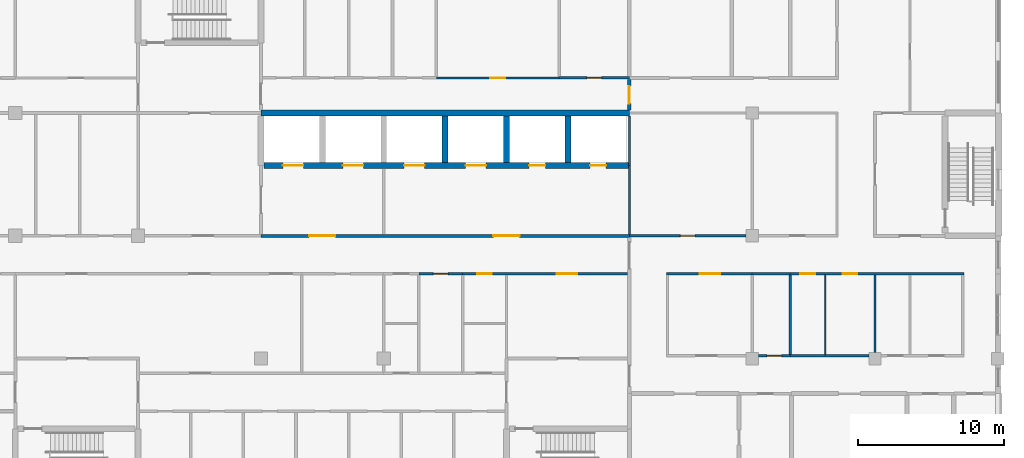
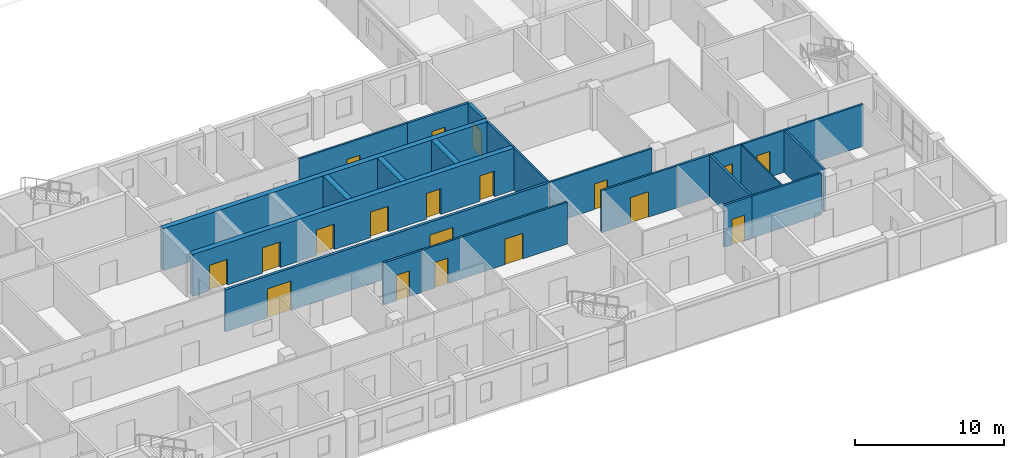
# One storey, part 71 of 94: 22 walls, 19 doors, 19 openings.
"""IFC4 building model written with IfcOpenShell, lengths in metres."""

from ifc_helpers import new_model, si_unit, direction, frame, frame_2d, origin, place, context, subcontext, project, spatial, rectangle, extrude, material, layer, layer_set, type_object, element, fill, save


model = new_model("IFC4")

# Units and contexts
model_context = context("Model", 3, precision=1e-05, world=origin(), true_north=direction((0.0, 1.0)))
body_context = subcontext(model_context, "Body", "Model", "MODEL_VIEW")
ifc_project = project(units=[si_unit("LENGTHUNIT", "METRE"), si_unit("AREAUNIT", "SQUARE_METRE"), si_unit("VOLUMEUNIT", "CUBIC_METRE"), si_unit("PLANEANGLEUNIT", "RADIAN"), si_unit("MASSUNIT", "GRAM", prefix="KILO")], contexts=[model_context])

# Site, building, storey
site_placement = place(None, origin())
site = spatial("IfcSite", under=ifc_project, at=site_placement, CompositionType="ELEMENT")
building_placement = place(site_placement, origin())
building = spatial("IfcBuilding", under=site, at=building_placement, Name="Yavir Park General Hospital", CompositionType="ELEMENT")
storey_placement = place(building_placement, frame((0.0, 0.0, 4.5)))
storey = spatial("IfcBuildingStorey", under=building, at=storey_placement, Name="L01", CompositionType="ELEMENT", Elevation=4.5)

# Wall, opening, door
ifc_material_1 = material(Name="Double-leaf gypsum board acoustic partition on staggered studs")
ifc_layer_1 = layer(ifc_material_1, 0.175048828125)
ifc_layer_set_1 = layer_set([ifc_layer_1], Name="Double-leaf gypsum board acoustic partition on staggered studs")
wall_type_1 = type_object("IfcWallType", Name="Acoustic partition 175", PredefinedType="PARTITIONING", material=ifc_layer_set_1)
wall_1_placement = place(storey_placement, frame((151.625, 8.60009765625, 0.0), z_axis=(0.0, 0.0, 1.0), x_axis=(1.0, 0.0, 0.0)))
wall_1 = element("IfcWall", 1, at=wall_1_placement, inside=storey, type_object=wall_type_1, Name="AP175 L01-038", PredefinedType="PARTITIONING", context=body_context, shape_type="SweptSolid", body=[
    extrude(rectangle(XDim=2.175048828125, YDim=0.175048828125, at=frame_2d((1.08740234375, 0.0))), origin(), (0.0, 0.0, 1.0), 3.449951171875),
])
opening_1_placement = place(wall_1_placement, frame((0.58740234375, 0.0, 0.0)))
opening_1 = element("IfcOpeningElement", 2, at=opening_1_placement, cuts=wall_1, Name="Opening L01.D055", PredefinedType="OPENING", context=body_context, shape_type="SweptSolid", body=[
    extrude(rectangle(XDim=1.0, YDim=2.10009765625, at=frame_2d((0.5, 1.050048828125))), frame((0.0, 0.097412109375, 0.0), z_axis=(0.0, -1.0, 0.0), x_axis=(1.0, 0.0, 0.0)), (0.0, 0.0, 1.0), 0.195068359375),
])
ifc_material_2 = material(Name="Sealed solid-core acoustic door leaf, Rw 42 dB")
door_type_1 = type_object("IfcDoorType", Name="Acoustic door 1000 x 2100", OperationType="SINGLE_SWING_LEFT", PredefinedType="DOOR", material=ifc_material_2)
door_1_placement = place(opening_1_placement, origin())
door_1 = element("IfcDoor", 3, at=door_1_placement, inside=storey, type_object=door_type_1, Name="L01.D055", OperationType="SINGLE_SWING_LEFT", OverallHeight=2.10009765625, OverallWidth=1.0, PredefinedType="DOOR", context=body_context, shape_type="SweptSolid", body=[
    extrude(rectangle(XDim=1.0, YDim=2.10009765625, at=frame_2d((0.5, 1.050048828125))), frame((0.0, 0.03515625, 0.0), z_axis=(0.0, -1.0, 0.0), x_axis=(1.0, 0.0, 0.0)), (0.0, 0.0, 1.0), 0.070068359375),
])
fill(opening_1, door_1)

wall_2_placement = place(storey_placement, frame((128.39990234375, 14.199951171875, 0.0), z_axis=(0.0, 0.0, 1.0), x_axis=(1.0, 0.0, 0.0)))
wall_2 = element("IfcWall", 4, at=wall_2_placement, inside=storey, type_object=wall_type_1, Name="AP175 L01-059", PredefinedType="PARTITIONING", context=body_context, shape_type="SweptSolid", body=[
    extrude(rectangle(XDim=3.0, YDim=0.175048828125, at=frame_2d((1.5, 0.0))), origin(), (0.0, 0.0, 1.0), 3.449951171875),
])
opening_2_placement = place(wall_2_placement, frame((1.0, 0.0, 0.0)))
opening_2 = element("IfcOpeningElement", 5, at=opening_2_placement, cuts=wall_2, Name="Opening L01.D076", PredefinedType="OPENING", context=body_context, shape_type="SweptSolid", body=[
    extrude(rectangle(XDim=1.0, YDim=2.10009765625, at=frame_2d((0.5, 1.050048828125))), frame((0.0, 0.097412109375, 0.0), z_axis=(0.0, -1.0, 0.0), x_axis=(1.0, 0.0, 0.0)), (0.0, 0.0, 1.0), 0.195068359375),
])
door_2_placement = place(opening_2_placement, origin())
door_2 = element("IfcDoor", 6, at=door_2_placement, inside=storey, type_object=door_type_1, Name="L01.D076", OperationType="SINGLE_SWING_LEFT", OverallHeight=2.10009765625, OverallWidth=1.0, PredefinedType="DOOR", context=body_context, shape_type="SweptSolid", body=[
    extrude(rectangle(XDim=1.0, YDim=2.10009765625, at=frame_2d((0.5, 1.050048828125))), frame((0.0, 0.03515625, 0.0), z_axis=(0.0, -1.0, 0.0), x_axis=(1.0, 0.0, 0.0)), (0.0, 0.0, 1.0), 0.070068359375),
])
fill(opening_2, door_2)

# Wall
wall_3_placement = place(storey_placement, frame((151.199951171875, 14.199951171875, 0.0), z_axis=(0.0, 0.0, 1.0), x_axis=(1.0, 0.0, 0.0)))
element("IfcWall", 7, at=wall_3_placement, inside=storey, type_object=wall_type_1, Name="AP175 L01-062", PredefinedType="PARTITIONING", context=body_context, shape_type="SweptSolid", body=[
    extrude(rectangle(XDim=2.60009765625, YDim=0.175048828125, at=frame_2d((1.300048828125, 0.0))), origin(), (0.0, 0.0, 1.0), 3.449951171875),
])

# Wall, opening, door
wall_4_placement = place(storey_placement, frame((138.0, 27.60009765625, 0.0), z_axis=(0.0, 0.0, 1.0), x_axis=(1.0, 0.0, 0.0)))
wall_4 = element("IfcWall", 8, at=wall_4_placement, inside=storey, type_object=wall_type_1, Name="AP175 L01-120", PredefinedType="PARTITIONING", context=body_context, shape_type="SweptSolid", body=[
    extrude(rectangle(XDim=4.800048828125, YDim=0.175048828125, at=frame_2d((2.39990234375, 0.0))), origin(), (0.0, 0.0, 1.0), 3.449951171875),
])
opening_3_placement = place(wall_4_placement, frame((1.89990234375, 0.0, 0.0)))
opening_3 = element("IfcOpeningElement", 9, at=opening_3_placement, cuts=wall_4, Name="Opening L01.D138", PredefinedType="OPENING", context=body_context, shape_type="SweptSolid", body=[
    extrude(rectangle(XDim=1.0, YDim=2.10009765625, at=frame_2d((0.5, 1.050048828125))), frame((0.0, 0.097412109375, 0.0), z_axis=(0.0, -1.0, 0.0), x_axis=(1.0, 0.0, 0.0)), (0.0, 0.0, 1.0), 0.195068359375),
])
door_3_placement = place(opening_3_placement, origin())
door_3 = element("IfcDoor", 10, at=door_3_placement, inside=storey, type_object=door_type_1, Name="L01.D138", OperationType="SINGLE_SWING_RIGHT", OverallHeight=2.10009765625, OverallWidth=1.0, PredefinedType="DOOR", context=body_context, shape_type="SweptSolid", body=[
    extrude(rectangle(XDim=1.0, YDim=2.10009765625, at=frame_2d((0.5, 1.050048828125))), frame((0.0, 0.03515625, 0.0), z_axis=(0.0, -1.0, 0.0), x_axis=(1.0, 0.0, 0.0)), (0.0, 0.0, 1.0), 0.070068359375),
])
fill(opening_3, door_3)

# Wall
wall_5_placement = place(storey_placement, frame((153.800048828125, 8.6875, 0.0), z_axis=(0.0, 0.0, 1.0), x_axis=(0.0, 1.0, 0.0)))
element("IfcWall", 11, at=wall_5_placement, inside=storey, type_object=wall_type_1, Name="AP175 L01-477", PredefinedType="PARTITIONING", context=body_context, shape_type="SweptSolid", body=[
    extrude(rectangle(XDim=5.425048828125, YDim=0.175048828125, at=frame_2d((2.71240234375, 0.0))), origin(), (0.0, 0.0, 1.0), 3.449951171875),
])

# Wall, opening, door
ifc_material_3 = material(Name="Concrete C30/37", Category="concrete")
ifc_layer_2 = layer(ifc_material_3, 0.25)
ifc_layer_set_2 = layer_set([ifc_layer_2], Name="Concrete C30/37")
wall_type_2 = type_object("IfcWallType", Name="Compartment fire wall 250, REI 150", PredefinedType="SOLIDWALL", material=ifc_layer_set_2)
wall_6_placement = place(storey_placement, frame((142.800048828125, 25.39990234375, 0.0), z_axis=(0.0, 0.0, 1.0), x_axis=(0.0, 1.0, 0.0)))
wall_6 = element("IfcWall", 12, at=wall_6_placement, inside=storey, type_object=wall_type_2, Name="FW25 L01-457", PredefinedType="SOLIDWALL", context=body_context, shape_type="SweptSolid", body=[
    extrude(rectangle(XDim=2.087646484375, YDim=0.25, at=frame_2d((1.0439453125, 0.0))), origin(), (0.0, 0.0, 1.0), 3.449951171875),
])
opening_4_placement = place(wall_6_placement, frame((0.44384765625, 0.0, 0.0)))
opening_4 = element("IfcOpeningElement", 13, at=opening_4_placement, cuts=wall_6, Name="Opening L01.D246", PredefinedType="OPENING", context=body_context, shape_type="SweptSolid", body=[
    extrude(rectangle(XDim=1.199951171875, YDim=2.10009765625, at=frame_2d((0.60009765625, 1.050048828125))), frame((0.0, 0.135009765625, 0.0), z_axis=(0.0, -1.0, 0.0), x_axis=(1.0, 0.0, 0.0)), (0.0, 0.0, 1.0), 0.27001953125),
])
ifc_material_4 = material(Name="Steel frame, fire-resisting leaf with vision panel", Category="steel")
door_type_2 = type_object("IfcDoorType", Name="Fire door with vision panel 1200 x 2100, EI 60", OperationType="SINGLE_SWING_LEFT", PredefinedType="DOOR", material=ifc_material_4)
door_4_placement = place(opening_4_placement, origin())
door_4 = element("IfcDoor", 14, at=door_4_placement, inside=storey, type_object=door_type_2, Name="L01.D246", OperationType="SINGLE_SWING_LEFT", OverallHeight=2.10009765625, OverallWidth=1.199951171875, PredefinedType="DOOR", context=body_context, shape_type="SweptSolid", body=[
    extrude(rectangle(XDim=1.199951171875, YDim=2.10009765625, at=frame_2d((0.60009765625, 1.050048828125))), frame((0.0, 0.030029296875, 0.0), z_axis=(0.0, -1.0, 0.0), x_axis=(1.0, 0.0, 0.0)), (0.0, 0.0, 1.0), 0.06005859375),
])
fill(opening_4, door_4)

# Wall, openings, doors
ifc_material_5 = material(Name="Double gypsum board fire partition on steel studs", Category="steel")
ifc_layer_3 = layer(ifc_material_5, 0.199951171875)
ifc_layer_set_3 = layer_set([ifc_layer_3], Name="Double gypsum board fire partition on steel studs")
wall_type_3 = type_object("IfcWallType", Name="Fire-rated partition 200, EI 60", PredefinedType="PARTITIONING", material=ifc_layer_set_3)
wall_7_placement = place(storey_placement, frame((117.60009765625, 16.800048828125, 0.0), z_axis=(0.0, 0.0, 1.0), x_axis=(1.0, 0.0, 0.0)))
wall_7 = element("IfcWall", 15, at=wall_7_placement, inside=storey, type_object=wall_type_3, Name="FP20 L01-082", PredefinedType="PARTITIONING", context=body_context, shape_type="SweptSolid", body=[
    extrude(rectangle(XDim=25.199951171875, YDim=0.199951171875, at=frame_2d((12.60009765625, 0.0))), origin(), (0.0, 0.0, 1.0), 3.449951171875),
])
opening_5_placement = place(wall_7_placement, frame((3.300048828125, 0.0, 0.0)))
opening_5 = element("IfcOpeningElement", 16, at=opening_5_placement, cuts=wall_7, Name="Opening L01.D094", PredefinedType="OPENING", context=body_context, shape_type="SweptSolid", body=[
    extrude(rectangle(XDim=1.800048828125, YDim=2.39990234375, at=frame_2d((0.89990234375, 1.199951171875))), frame((0.0, 0.10986328125, 0.0), z_axis=(0.0, -1.0, 0.0), x_axis=(1.0, 0.0, 0.0)), (0.0, 0.0, 1.0), 0.219970703125),
])
opening_6_placement = place(wall_7_placement, frame((15.89990234375, 0.0, 0.0)))
opening_6 = element("IfcOpeningElement", 17, at=opening_6_placement, cuts=wall_7, Name="Opening L01.D095", PredefinedType="OPENING", context=body_context, shape_type="SweptSolid", body=[
    extrude(rectangle(XDim=1.800048828125, YDim=2.39990234375, at=frame_2d((0.89990234375, 1.199951171875))), frame((0.0, 0.10986328125, 0.0), z_axis=(0.0, -1.0, 0.0), x_axis=(1.0, 0.0, 0.0)), (0.0, 0.0, 1.0), 0.219970703125),
])
ifc_material_6 = material(Name="Steel frame, fire-resisting leaves with vision panels", Category="steel")
door_type_3 = type_object("IfcDoorType", Name="Double fire door with vision panels 1800 x 2400, EI 60", OperationType="DOUBLE_DOOR_SINGLE_SWING", PredefinedType="DOOR", material=ifc_material_6)
door_5_placement = place(opening_5_placement, origin())
door_5 = element("IfcDoor", 18, at=door_5_placement, inside=storey, type_object=door_type_3, Name="L01.D094", OperationType="SINGLE_SWING_RIGHT", OverallHeight=2.39990234375, OverallWidth=1.800048828125, PredefinedType="DOOR", context=body_context, shape_type="SweptSolid", body=[
    extrude(rectangle(XDim=1.800048828125, YDim=2.39990234375, at=frame_2d((0.89990234375, 1.199951171875))), frame((0.0, 0.030029296875, 0.0), z_axis=(0.0, -1.0, 0.0), x_axis=(1.0, 0.0, 0.0)), (0.0, 0.0, 1.0), 0.06005859375),
])
fill(opening_5, door_5)
door_6_placement = place(opening_6_placement, origin())
door_6 = element("IfcDoor", 19, at=door_6_placement, inside=storey, type_object=door_type_3, Name="L01.D095", OperationType="SINGLE_SWING_RIGHT", OverallHeight=2.39990234375, OverallWidth=1.800048828125, PredefinedType="DOOR", context=body_context, shape_type="SweptSolid", body=[
    extrude(rectangle(XDim=1.800048828125, YDim=2.39990234375, at=frame_2d((0.89990234375, 1.199951171875))), frame((0.0, 0.030029296875, 0.0), z_axis=(0.0, -1.0, 0.0), x_axis=(1.0, 0.0, 0.0)), (0.0, 0.0, 1.0), 0.06005859375),
])
fill(opening_6, door_6)

# Walls
ifc_material_7 = material(Name="Gypsum board partition on steel studs", Category="steel")
ifc_layer_4 = layer(ifc_material_7, 0.10009765625)
ifc_layer_set_4 = layer_set([ifc_layer_4], Name="Gypsum board partition on steel studs")
wall_type_4 = type_object("IfcWallType", Name="Gypsum board partition 100", PredefinedType="PARTITIONING", material=ifc_layer_set_4)
wall_8_placement = place(storey_placement, frame((156.199951171875, 8.675048828125, 0.0), z_axis=(0.0, 0.0, 1.0), x_axis=(0.0, 1.0, 0.0)))
element("IfcWall", 20, at=wall_8_placement, inside=storey, type_object=wall_type_4, Name="P10 L01-485", PredefinedType="PARTITIONING", context=body_context, shape_type="SweptSolid", body=[
    extrude(rectangle(XDim=5.449951171875, YDim=0.10009765625, at=frame_2d((2.72509765625, 0.0))), origin(), (0.0, 0.0, 1.0), 3.449951171875),
])
ifc_material_8 = material(Name="Gypsum board partition on steel studs", Category="steel")
ifc_layer_5 = layer(ifc_material_8, 0.14990234375)
ifc_layer_set_5 = layer_set([ifc_layer_5], Name="Gypsum board partition on steel studs")
wall_type_5 = type_object("IfcWallType", Name="Gypsum board partition 150", PredefinedType="PARTITIONING", material=ifc_layer_set_5)
wall_9_placement = place(storey_placement, frame((153.800048828125, 8.60009765625, 0.0), z_axis=(0.0, 0.0, 1.0), x_axis=(1.0, 0.0, 0.0)))
element("IfcWall", 21, at=wall_9_placement, inside=storey, type_object=wall_type_5, Name="P15 L01-039", PredefinedType="PARTITIONING", context=body_context, shape_type="SweptSolid", body=[
    extrude(rectangle(XDim=5.375, YDim=0.14990234375, at=frame_2d((2.6875, 0.0))), origin(), (0.0, 0.0, 1.0), 3.449951171875),
])

# Wall, openings, doors
wall_10_placement = place(storey_placement, frame((131.39990234375, 14.199951171875, 0.0), z_axis=(0.0, 0.0, 1.0), x_axis=(1.0, 0.0, 0.0)))
wall_10 = element("IfcWall", 22, at=wall_10_placement, inside=storey, type_object=wall_type_5, Name="P15 L01-060", PredefinedType="PARTITIONING", context=body_context, shape_type="SweptSolid", body=[
    extrude(rectangle(XDim=11.275146484375, YDim=0.14990234375, at=frame_2d((5.6376953125, 0.0))), origin(), (0.0, 0.0, 1.0), 3.449951171875),
])
opening_7_placement = place(wall_10_placement, frame((1.0, 0.0, 0.0)))
opening_7 = element("IfcOpeningElement", 23, at=opening_7_placement, cuts=wall_10, Name="Opening L01.D077", PredefinedType="OPENING", context=body_context, shape_type="SweptSolid", body=[
    extrude(rectangle(XDim=1.0, YDim=2.10009765625, at=frame_2d((0.5, 1.050048828125))), frame((0.0, 0.0849609375, 0.0), z_axis=(0.0, -1.0, 0.0), x_axis=(1.0, 0.0, 0.0)), (0.0, 0.0, 1.0), 0.169921875),
])
opening_8_placement = place(wall_10_placement, frame((6.4375, 0.0, 0.0)))
opening_8 = element("IfcOpeningElement", 24, at=opening_8_placement, cuts=wall_10, Name="Opening L01.D078", PredefinedType="OPENING", context=body_context, shape_type="SweptSolid", body=[
    extrude(rectangle(XDim=1.39990234375, YDim=2.10009765625, at=frame_2d((0.699951171875, 1.050048828125))), frame((0.0, 0.0849609375, 0.0), z_axis=(0.0, -1.0, 0.0), x_axis=(1.0, 0.0, 0.0)), (0.0, 0.0, 1.0), 0.169921875),
])
ifc_material_9 = material(Name="Hollow metal frame, solid-core timber leaf", Category="wood")
door_type_4 = type_object("IfcDoorType", Name="Double swing door 1400 x 2100", OperationType="DOUBLE_DOOR_SINGLE_SWING", PredefinedType="DOOR", material=ifc_material_9)
door_7_placement = place(opening_8_placement, origin())
door_7 = element("IfcDoor", 25, at=door_7_placement, inside=storey, type_object=door_type_4, Name="L01.D078", OperationType="SINGLE_SWING_LEFT", OverallHeight=2.10009765625, OverallWidth=1.39990234375, PredefinedType="DOOR", context=body_context, shape_type="SweptSolid", body=[
    extrude(rectangle(XDim=1.39990234375, YDim=2.10009765625, at=frame_2d((0.699951171875, 1.050048828125))), frame((0.0, 0.02490234375, 0.0), z_axis=(0.0, -1.0, 0.0), x_axis=(1.0, 0.0, 0.0)), (0.0, 0.0, 1.0), 0.050048828125),
])
fill(opening_8, door_7)
ifc_material_10 = material(Name="Hollow metal frame, solid-core timber leaf", Category="wood")
door_type_5 = type_object("IfcDoorType", Name="Single swing door 1000 x 2100", OperationType="SINGLE_SWING_LEFT", PredefinedType="DOOR", material=ifc_material_10)
door_8_placement = place(opening_7_placement, origin())
door_8 = element("IfcDoor", 26, at=door_8_placement, inside=storey, type_object=door_type_5, Name="L01.D077", OperationType="SINGLE_SWING_LEFT", OverallHeight=2.10009765625, OverallWidth=1.0, PredefinedType="DOOR", context=body_context, shape_type="SweptSolid", body=[
    extrude(rectangle(XDim=1.0, YDim=2.10009765625, at=frame_2d((0.5, 1.050048828125))), frame((0.0, 0.02490234375, 0.0), z_axis=(0.0, -1.0, 0.0), x_axis=(1.0, 0.0, 0.0)), (0.0, 0.0, 1.0), 0.050048828125),
])
fill(opening_7, door_8)

# Wall, opening, door
wall_11_placement = place(storey_placement, frame((145.324951171875, 14.199951171875, 0.0), z_axis=(0.0, 0.0, 1.0), x_axis=(1.0, 0.0, 0.0)))
wall_11 = element("IfcWall", 27, at=wall_11_placement, inside=storey, type_object=wall_type_5, Name="P15 L01-061", PredefinedType="PARTITIONING", context=body_context, shape_type="SweptSolid", body=[
    extrude(rectangle(XDim=5.875, YDim=0.14990234375, at=frame_2d((2.9375, 0.0))), origin(), (0.0, 0.0, 1.0), 3.449951171875),
])
opening_9_placement = place(wall_11_placement, frame((2.27490234375, 0.0, 0.0)))
opening_9 = element("IfcOpeningElement", 28, at=opening_9_placement, cuts=wall_11, Name="Opening L01.D079", PredefinedType="OPENING", context=body_context, shape_type="SweptSolid", body=[
    extrude(rectangle(XDim=1.39990234375, YDim=2.10009765625, at=frame_2d((0.699951171875, 1.050048828125))), frame((0.0, 0.0849609375, 0.0), z_axis=(0.0, -1.0, 0.0), x_axis=(1.0, 0.0, 0.0)), (0.0, 0.0, 1.0), 0.169921875),
])
door_9_placement = place(opening_9_placement, origin())
door_9 = element("IfcDoor", 29, at=door_9_placement, inside=storey, type_object=door_type_4, Name="L01.D079", OperationType="SINGLE_SWING_LEFT", OverallHeight=2.10009765625, OverallWidth=1.39990234375, PredefinedType="DOOR", context=body_context, shape_type="SweptSolid", body=[
    extrude(rectangle(XDim=1.39990234375, YDim=2.10009765625, at=frame_2d((0.699951171875, 1.050048828125))), frame((0.0, 0.02490234375, 0.0), z_axis=(0.0, -1.0, 0.0), x_axis=(1.0, 0.0, 0.0)), (0.0, 0.0, 1.0), 0.050048828125),
])
fill(opening_9, door_9)

# Wall, openings, doors
wall_12_placement = place(storey_placement, frame((153.800048828125, 14.199951171875, 0.0), z_axis=(0.0, 0.0, 1.0), x_axis=(1.0, 0.0, 0.0)))
wall_12 = element("IfcWall", 30, at=wall_12_placement, inside=storey, type_object=wall_type_5, Name="P15 L01-063", PredefinedType="PARTITIONING", context=body_context, shape_type="SweptSolid", body=[
    extrude(rectangle(XDim=11.875, YDim=0.14990234375, at=frame_2d((5.9375, 0.0))), origin(), (0.0, 0.0, 1.0), 3.449951171875),
])
opening_10_placement = place(wall_12_placement, frame((0.699951171875, 0.0, 0.0)))
opening_10 = element("IfcOpeningElement", 31, at=opening_10_placement, cuts=wall_12, Name="Opening L01.D080", PredefinedType="OPENING", context=body_context, shape_type="SweptSolid", body=[
    extrude(rectangle(XDim=1.0, YDim=2.10009765625, at=frame_2d((0.5, 1.050048828125))), frame((0.0, 0.0849609375, 0.0), z_axis=(0.0, -1.0, 0.0), x_axis=(1.0, 0.0, 0.0)), (0.0, 0.0, 1.0), 0.169921875),
])
opening_11_placement = place(wall_12_placement, frame((3.60009765625, 0.0, 0.0)))
opening_11 = element("IfcOpeningElement", 32, at=opening_11_placement, cuts=wall_12, Name="Opening L01.D081", PredefinedType="OPENING", context=body_context, shape_type="SweptSolid", body=[
    extrude(rectangle(XDim=1.0, YDim=2.10009765625, at=frame_2d((0.5, 1.050048828125))), frame((0.0, 0.0849609375, 0.0), z_axis=(0.0, -1.0, 0.0), x_axis=(1.0, 0.0, 0.0)), (0.0, 0.0, 1.0), 0.169921875),
])
door_10_placement = place(opening_10_placement, origin())
door_10 = element("IfcDoor", 33, at=door_10_placement, inside=storey, type_object=door_type_5, Name="L01.D080", OperationType="SINGLE_SWING_LEFT", OverallHeight=2.10009765625, OverallWidth=1.0, PredefinedType="DOOR", context=body_context, shape_type="SweptSolid", body=[
    extrude(rectangle(XDim=1.0, YDim=2.10009765625, at=frame_2d((0.5, 1.050048828125))), frame((0.0, 0.02490234375, 0.0), z_axis=(0.0, -1.0, 0.0), x_axis=(1.0, 0.0, 0.0)), (0.0, 0.0, 1.0), 0.050048828125),
])
fill(opening_10, door_10)
door_11_placement = place(opening_11_placement, origin())
door_11 = element("IfcDoor", 34, at=door_11_placement, inside=storey, type_object=door_type_5, Name="L01.D081", OperationType="SINGLE_SWING_LEFT", OverallHeight=2.10009765625, OverallWidth=1.0, PredefinedType="DOOR", context=body_context, shape_type="SweptSolid", body=[
    extrude(rectangle(XDim=1.0, YDim=2.10009765625, at=frame_2d((0.5, 1.050048828125))), frame((0.0, 0.02490234375, 0.0), z_axis=(0.0, -1.0, 0.0), x_axis=(1.0, 0.0, 0.0)), (0.0, 0.0, 1.0), 0.050048828125),
])
fill(opening_11, door_11)

# Wall, opening, door
wall_13_placement = place(storey_placement, frame((129.60009765625, 27.60009765625, 0.0), z_axis=(0.0, 0.0, 1.0), x_axis=(1.0, 0.0, 0.0)))
wall_13 = element("IfcWall", 35, at=wall_13_placement, inside=storey, type_object=wall_type_5, Name="P15 L01-119", PredefinedType="PARTITIONING", context=body_context, shape_type="SweptSolid", body=[
    extrude(rectangle(XDim=8.39990234375, YDim=0.14990234375, at=frame_2d((4.199951171875, 0.0))), origin(), (0.0, 0.0, 1.0), 3.449951171875),
])
opening_12_placement = place(wall_13_placement, frame((3.699951171875, 0.0, 0.0)))
opening_12 = element("IfcOpeningElement", 36, at=opening_12_placement, cuts=wall_13, Name="Opening L01.D137", PredefinedType="OPENING", context=body_context, shape_type="SweptSolid", body=[
    extrude(rectangle(XDim=1.0, YDim=2.10009765625, at=frame_2d((0.5, 1.050048828125))), frame((0.0, 0.0849609375, 0.0), z_axis=(0.0, -1.0, 0.0), x_axis=(1.0, 0.0, 0.0)), (0.0, 0.0, 1.0), 0.169921875),
])
door_12_placement = place(opening_12_placement, origin())
door_12 = element("IfcDoor", 37, at=door_12_placement, inside=storey, type_object=door_type_5, Name="L01.D137", OperationType="SINGLE_SWING_RIGHT", OverallHeight=2.10009765625, OverallWidth=1.0, PredefinedType="DOOR", context=body_context, shape_type="SweptSolid", body=[
    extrude(rectangle(XDim=1.0, YDim=2.10009765625, at=frame_2d((0.5, 1.050048828125))), frame((0.0, 0.02490234375, 0.0), z_axis=(0.0, -1.0, 0.0), x_axis=(1.0, 0.0, 0.0)), (0.0, 0.0, 1.0), 0.050048828125),
])
fill(opening_12, door_12)

# Wall
wall_14_placement = place(storey_placement, frame((159.60009765625, 8.824951171875, 0.0), z_axis=(0.0, 0.0, 1.0), x_axis=(0.0, 1.0, 0.0)))
element("IfcWall", 38, at=wall_14_placement, inside=storey, type_object=wall_type_5, Name="P15 L01-493", PredefinedType="PARTITIONING", context=body_context, shape_type="SweptSolid", body=[
    extrude(rectangle(XDim=5.300048828125, YDim=0.14990234375, at=frame_2d((2.64990234375, 0.0))), origin(), (0.0, 0.0, 1.0), 3.449951171875),
])

# Wall, opening, door
ifc_material_11 = material(Name="Lead-lined gypsum board shielding partition")
ifc_layer_6 = layer(ifc_material_11, 0.14990234375)
ifc_layer_set_6 = layer_set([ifc_layer_6], Name="Lead-lined gypsum board shielding partition")
wall_type_6 = type_object("IfcWallType", Name="Lead-lined shielding partition 150, EI 60", PredefinedType="PARTITIONING", material=ifc_layer_set_6)
wall_15_placement = place(storey_placement, frame((142.800048828125, 16.800048828125, 0.0), z_axis=(0.0, 0.0, 1.0), x_axis=(1.0, 0.0, 0.0)))
wall_15 = element("IfcWall", 39, at=wall_15_placement, inside=storey, type_object=wall_type_6, Name="LL150 L01-083", PredefinedType="PARTITIONING", context=body_context, shape_type="SweptSolid", body=[
    extrude(rectangle(XDim=7.974853515625, YDim=0.14990234375, at=frame_2d((3.9873046875, 0.0))), origin(), (0.0, 0.0, 1.0), 3.449951171875),
])
opening_13_placement = place(wall_15_placement, frame((3.487548828125, 0.0, 0.0)))
opening_13 = element("IfcOpeningElement", 40, at=opening_13_placement, cuts=wall_15, Name="Opening L01.D096", PredefinedType="OPENING", context=body_context, shape_type="SweptSolid", body=[
    extrude(rectangle(XDim=1.0, YDim=2.10009765625, at=frame_2d((0.5, 1.050048828125))), frame((0.0, 0.0849609375, 0.0), z_axis=(0.0, -1.0, 0.0), x_axis=(1.0, 0.0, 0.0)), (0.0, 0.0, 1.0), 0.169921875),
])
ifc_material_12 = material(Name="Lead-lined steel door leaf, 2.5 mm lead", Category="steel")
door_type_6 = type_object("IfcDoorType", Name="Lead-lined door 1000 x 2100, EI 60", OperationType="SINGLE_SWING_LEFT", PredefinedType="DOOR", material=ifc_material_12)
door_13_placement = place(opening_13_placement, origin())
door_13 = element("IfcDoor", 41, at=door_13_placement, inside=storey, type_object=door_type_6, Name="L01.D096", OperationType="SINGLE_SWING_RIGHT", OverallHeight=2.10009765625, OverallWidth=1.0, PredefinedType="DOOR", context=body_context, shape_type="SweptSolid", body=[
    extrude(rectangle(XDim=1.0, YDim=2.10009765625, at=frame_2d((0.5, 1.050048828125))), frame((0.0, 0.0400390625, 0.0), z_axis=(0.0, -1.0, 0.0), x_axis=(1.0, 0.0, 0.0)), (0.0, 0.0, 1.0), 0.080078125),
])
fill(opening_13, door_13)

# Walls
wall_16_placement = place(storey_placement, frame((142.800048828125, 16.89990234375, 0.0), z_axis=(0.0, 0.0, 1.0), x_axis=(0.0, 1.0, 0.0)))
element("IfcWall", 42, at=wall_16_placement, inside=storey, type_object=wall_type_6, Name="LL150 L01-455", PredefinedType="PARTITIONING", context=body_context, shape_type="SweptSolid", body=[
    extrude(rectangle(XDim=4.7001953125, YDim=0.14990234375, at=frame_2d((2.35009765625, 0.0))), origin(), (0.0, 0.0, 1.0), 3.449951171875),
])
ifc_material_13 = material(Name="Lead-lined gypsum board shielding partition")
ifc_layer_7 = layer(ifc_material_13, 0.14990234375)
ifc_layer_set_7 = layer_set([ifc_layer_7], Name="Lead-lined gypsum board shielding partition")
wall_type_7 = type_object("IfcWallType", Name="Lead-lined shielding partition 150, REI 150", PredefinedType="PARTITIONING", material=ifc_layer_set_7)
wall_17_placement = place(storey_placement, frame((142.800048828125, 21.60009765625, 0.0), z_axis=(0.0, 0.0, 1.0), x_axis=(0.0, 1.0, 0.0)))
element("IfcWall", 43, at=wall_17_placement, inside=storey, type_object=wall_type_7, Name="LL150 L01-456", PredefinedType="PARTITIONING", context=body_context, shape_type="SweptSolid", body=[
    extrude(rectangle(XDim=3.39990234375, YDim=0.14990234375, at=frame_2d((1.699951171875, 0.0))), origin(), (0.0, 0.0, 1.0), 3.449951171875),
])

# Wall, openings, doors
ifc_material_14 = material(Name="Concrete C35/45", Category="concrete")
ifc_layer_8 = layer(ifc_material_14, 0.39990234375)
ifc_layer_set_8 = layer_set([ifc_layer_8], Name="Concrete C35/45")
wall_type_8 = type_object("IfcWallType", Name="Reinforced concrete core wall 400, REI 150", PredefinedType="SHEAR", material=ifc_layer_set_8)
wall_18_placement = place(storey_placement, frame((117.800048828125, 21.60009765625, 0.0), z_axis=(0.0, 0.0, 1.0), x_axis=(1.0, 0.0, 0.0)))
wall_18 = element("IfcWall", 44, at=wall_18_placement, inside=storey, type_object=wall_type_8, Name="CW40 L01-089", PredefinedType="SHEAR", context=body_context, shape_type="SweptSolid", body=[
    extrude(rectangle(XDim=24.925048828125, YDim=0.39990234375, at=frame_2d((12.46240234375, 0.0))), origin(), (0.0, 0.0, 1.0), 3.449951171875),
])
opening_14_placement = place(wall_18_placement, frame((1.300048828125, 0.0, 0.0)))
opening_14 = element("IfcOpeningElement", 45, at=opening_14_placement, cuts=wall_18, Name="Opening L01.D105", PredefinedType="OPENING", context=body_context, shape_type="SweptSolid", body=[
    extrude(rectangle(XDim=1.39990234375, YDim=2.10009765625, at=frame_2d((0.699951171875, 1.050048828125))), frame((0.0, 0.2099609375, 0.0), z_axis=(0.0, -1.0, 0.0), x_axis=(1.0, 0.0, 0.0)), (0.0, 0.0, 1.0), 0.419921875),
])
opening_15_placement = place(wall_18_placement, frame((5.39990234375, 0.0, 0.0)))
opening_15 = element("IfcOpeningElement", 46, at=opening_15_placement, cuts=wall_18, Name="Opening L01.D106", PredefinedType="OPENING", context=body_context, shape_type="SweptSolid", body=[
    extrude(rectangle(XDim=1.39990234375, YDim=2.10009765625, at=frame_2d((0.699951171875, 1.050048828125))), frame((0.0, 0.2099609375, 0.0), z_axis=(0.0, -1.0, 0.0), x_axis=(1.0, 0.0, 0.0)), (0.0, 0.0, 1.0), 0.419921875),
])
opening_16_placement = place(wall_18_placement, frame((9.60009765625, 0.0, 0.0)))
opening_16 = element("IfcOpeningElement", 47, at=opening_16_placement, cuts=wall_18, Name="Opening L01.D107", PredefinedType="OPENING", context=body_context, shape_type="SweptSolid", body=[
    extrude(rectangle(XDim=1.39990234375, YDim=2.10009765625, at=frame_2d((0.699951171875, 1.050048828125))), frame((0.0, 0.2099609375, 0.0), z_axis=(0.0, -1.0, 0.0), x_axis=(1.0, 0.0, 0.0)), (0.0, 0.0, 1.0), 0.419921875),
])
opening_17_placement = place(wall_18_placement, frame((13.800048828125, 0.0, 0.0)))
opening_17 = element("IfcOpeningElement", 48, at=opening_17_placement, cuts=wall_18, Name="Opening L01.D108", PredefinedType="OPENING", context=body_context, shape_type="SweptSolid", body=[
    extrude(rectangle(XDim=1.39990234375, YDim=2.10009765625, at=frame_2d((0.699951171875, 1.050048828125))), frame((0.0, 0.2099609375, 0.0), z_axis=(0.0, -1.0, 0.0), x_axis=(1.0, 0.0, 0.0)), (0.0, 0.0, 1.0), 0.419921875),
])
opening_18_placement = place(wall_18_placement, frame((18.14990234375, 0.0, 0.0)))
opening_18 = element("IfcOpeningElement", 49, at=opening_18_placement, cuts=wall_18, Name="Opening L01.D109", PredefinedType="OPENING", context=body_context, shape_type="SweptSolid", body=[
    extrude(rectangle(XDim=1.10009765625, YDim=2.10009765625, at=frame_2d((0.550048828125, 1.050048828125))), frame((0.0, 0.2099609375, 0.0), z_axis=(0.0, -1.0, 0.0), x_axis=(1.0, 0.0, 0.0)), (0.0, 0.0, 1.0), 0.419921875),
])
opening_19_placement = place(wall_18_placement, frame((22.3125, 0.0, 0.0)))
opening_19 = element("IfcOpeningElement", 50, at=opening_19_placement, cuts=wall_18, Name="Opening L01.D110", PredefinedType="OPENING", context=body_context, shape_type="SweptSolid", body=[
    extrude(rectangle(XDim=1.10009765625, YDim=2.10009765625, at=frame_2d((0.550048828125, 1.050048828125))), frame((0.0, 0.2099609375, 0.0), z_axis=(0.0, -1.0, 0.0), x_axis=(1.0, 0.0, 0.0)), (0.0, 0.0, 1.0), 0.419921875),
])
ifc_material_15 = material(Name="Stainless steel landing door panels", Category="steel")
door_type_7 = type_object("IfcDoorType", Name="Lift landing door 1100 x 2100, EI 60", OperationType="SLIDING_TO_LEFT", PredefinedType="DOOR", material=ifc_material_15)
door_14_placement = place(opening_18_placement, origin())
door_14 = element("IfcDoor", 51, at=door_14_placement, inside=storey, type_object=door_type_7, Name="L01.D109", OperationType="SLIDING_TO_LEFT", OverallHeight=2.10009765625, OverallWidth=1.10009765625, PredefinedType="DOOR", context=body_context, shape_type="SweptSolid", body=[
    extrude(rectangle(XDim=1.10009765625, YDim=2.10009765625, at=frame_2d((0.550048828125, 1.050048828125))), frame((0.0, 0.02490234375, 0.0), z_axis=(0.0, -1.0, 0.0), x_axis=(1.0, 0.0, 0.0)), (0.0, 0.0, 1.0), 0.050048828125),
])
fill(opening_18, door_14)
door_15_placement = place(opening_19_placement, origin())
door_15 = element("IfcDoor", 52, at=door_15_placement, inside=storey, type_object=door_type_7, Name="L01.D110", OperationType="SLIDING_TO_LEFT", OverallHeight=2.10009765625, OverallWidth=1.10009765625, PredefinedType="DOOR", context=body_context, shape_type="SweptSolid", body=[
    extrude(rectangle(XDim=1.10009765625, YDim=2.10009765625, at=frame_2d((0.550048828125, 1.050048828125))), frame((0.0, 0.02490234375, 0.0), z_axis=(0.0, -1.0, 0.0), x_axis=(1.0, 0.0, 0.0)), (0.0, 0.0, 1.0), 0.050048828125),
])
fill(opening_19, door_15)
ifc_material_16 = material(Name="Stainless steel landing door panels", Category="steel")
door_type_8 = type_object("IfcDoorType", Name="Lift landing door 1400 x 2100, EI 60", OperationType="SLIDING_TO_LEFT", PredefinedType="DOOR", material=ifc_material_16)
door_16_placement = place(opening_14_placement, origin())
door_16 = element("IfcDoor", 53, at=door_16_placement, inside=storey, type_object=door_type_8, Name="L01.D105", OperationType="SLIDING_TO_LEFT", OverallHeight=2.10009765625, OverallWidth=1.39990234375, PredefinedType="DOOR", context=body_context, shape_type="SweptSolid", body=[
    extrude(rectangle(XDim=1.39990234375, YDim=2.10009765625, at=frame_2d((0.699951171875, 1.050048828125))), frame((0.0, 0.02490234375, 0.0), z_axis=(0.0, -1.0, 0.0), x_axis=(1.0, 0.0, 0.0)), (0.0, 0.0, 1.0), 0.050048828125),
])
fill(opening_14, door_16)
door_17_placement = place(opening_15_placement, origin())
door_17 = element("IfcDoor", 54, at=door_17_placement, inside=storey, type_object=door_type_8, Name="L01.D106", OperationType="SLIDING_TO_LEFT", OverallHeight=2.10009765625, OverallWidth=1.39990234375, PredefinedType="DOOR", context=body_context, shape_type="SweptSolid", body=[
    extrude(rectangle(XDim=1.39990234375, YDim=2.10009765625, at=frame_2d((0.699951171875, 1.050048828125))), frame((0.0, 0.02490234375, 0.0), z_axis=(0.0, -1.0, 0.0), x_axis=(1.0, 0.0, 0.0)), (0.0, 0.0, 1.0), 0.050048828125),
])
fill(opening_15, door_17)
door_18_placement = place(opening_16_placement, origin())
door_18 = element("IfcDoor", 55, at=door_18_placement, inside=storey, type_object=door_type_8, Name="L01.D107", OperationType="SLIDING_TO_LEFT", OverallHeight=2.10009765625, OverallWidth=1.39990234375, PredefinedType="DOOR", context=body_context, shape_type="SweptSolid", body=[
    extrude(rectangle(XDim=1.39990234375, YDim=2.10009765625, at=frame_2d((0.699951171875, 1.050048828125))), frame((0.0, 0.02490234375, 0.0), z_axis=(0.0, -1.0, 0.0), x_axis=(1.0, 0.0, 0.0)), (0.0, 0.0, 1.0), 0.050048828125),
])
fill(opening_16, door_18)
door_19_placement = place(opening_17_placement, origin())
door_19 = element("IfcDoor", 56, at=door_19_placement, inside=storey, type_object=door_type_8, Name="L01.D108", OperationType="SLIDING_TO_LEFT", OverallHeight=2.10009765625, OverallWidth=1.39990234375, PredefinedType="DOOR", context=body_context, shape_type="SweptSolid", body=[
    extrude(rectangle(XDim=1.39990234375, YDim=2.10009765625, at=frame_2d((0.699951171875, 1.050048828125))), frame((0.0, 0.02490234375, 0.0), z_axis=(0.0, -1.0, 0.0), x_axis=(1.0, 0.0, 0.0)), (0.0, 0.0, 1.0), 0.050048828125),
])
fill(opening_17, door_19)

# Walls
wall_19_placement = place(storey_placement, frame((117.60009765625, 25.199951171875, 0.0), z_axis=(0.0, 0.0, 1.0), x_axis=(1.0, 0.0, 0.0)))
element("IfcWall", 57, at=wall_19_placement, inside=storey, type_object=wall_type_8, Name="CW40 L01-108", PredefinedType="SHEAR", context=body_context, shape_type="SweptSolid", body=[
    extrude(rectangle(XDim=25.199951171875, YDim=0.39990234375, at=frame_2d((12.60009765625, 0.0))), origin(), (0.0, 0.0, 1.0), 3.449951171875),
])
for number, where, z_axis, x_axis, name in (
    (58, (130.199951171875, 21.800048828125, 0.0), (0.0, 0.0, 1.0), (0.0, 1.0, 0.0), "CW40 L01-443"),
    (59, (134.39990234375, 21.800048828125, 0.0), (0.0, 0.0, 1.0), (0.0, 1.0, 0.0), "CW40 L01-449"),
    (60, (138.60009765625, 21.800048828125, 0.0), (0.0, 0.0, 1.0), (0.0, 1.0, 0.0), "CW40 L01-451"),
):
    element("IfcWall", number, at=place(storey_placement, frame(where, z_axis=z_axis, x_axis=x_axis)), inside=storey, type_object=wall_type_8, Name=name, PredefinedType="SHEAR", context=body_context, shape_type="SweptSolid", body=[
        extrude(rectangle(XDim=3.199951171875, YDim=0.39990234375, at=frame_2d((1.60009765625, 0.0))), origin(), (0.0, 0.0, 1.0), 3.449951171875),
    ])

save(model, "model.ifc")
